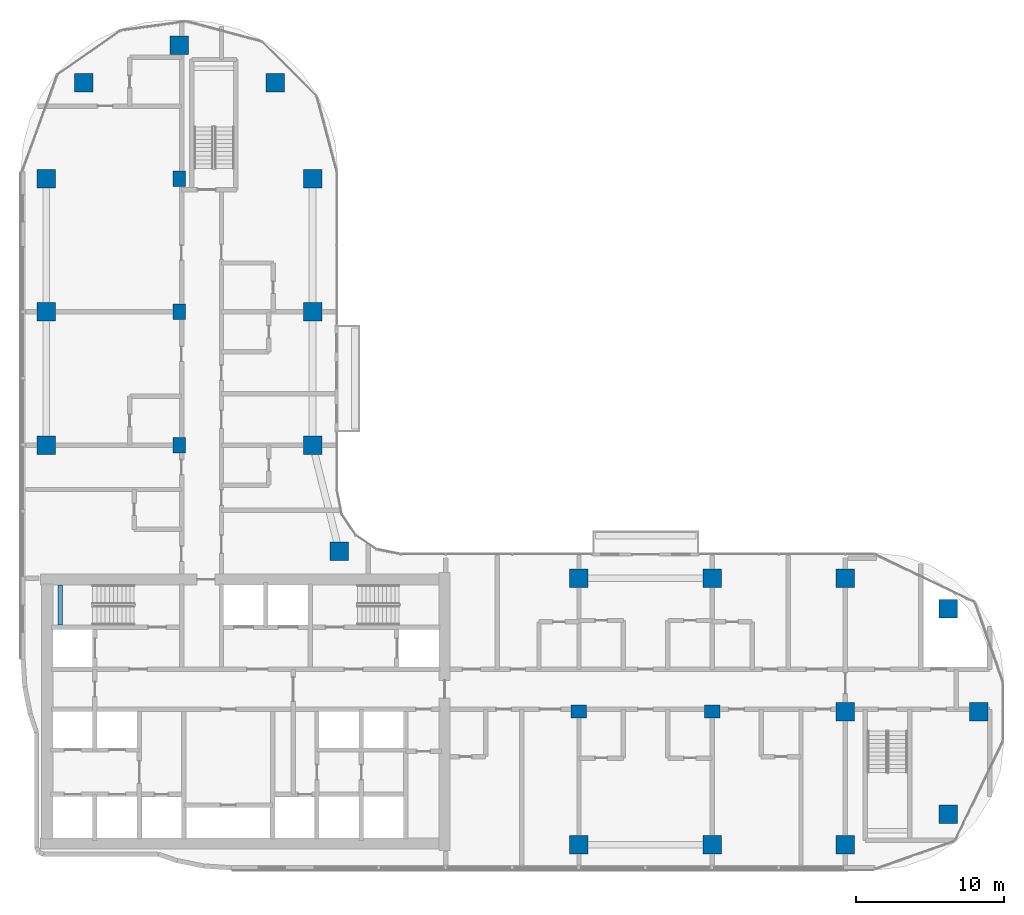
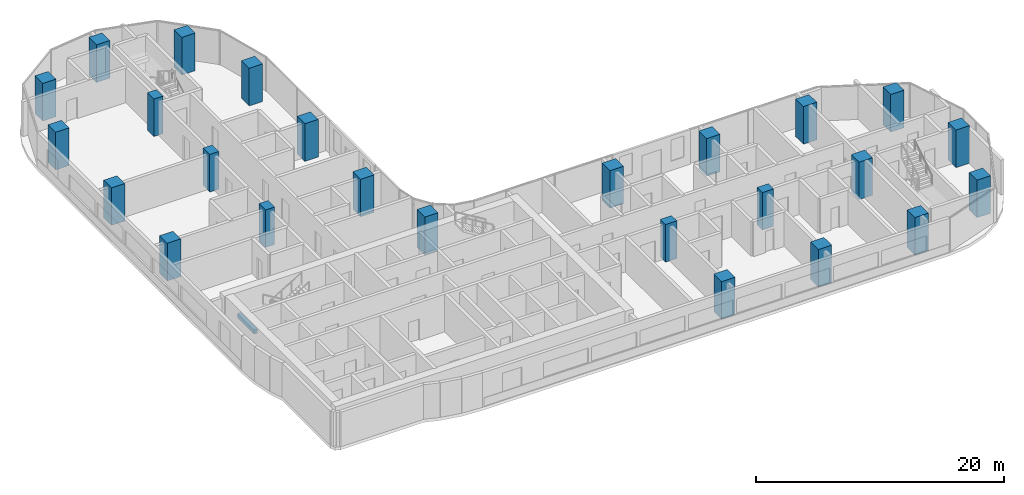
# One storey, part 1 of 23: 25 columns, 1 beam.
"""IFC4 building model written with IfcOpenShell, lengths in metres."""

from ifc_helpers import new_model, si_unit, direction, frame, origin, origin_2d, place, context, subcontext, project, spatial, rectangle, extrude, material, material_profile, profile_set, type_object, element, save


model = new_model("IFC4")

# Units and contexts
model_context = context("Model", 3, precision=1e-05, world=origin(), true_north=direction((0.0, 1.0)))
body_context = subcontext(model_context, "Body", "Model", "MODEL_VIEW")
ifc_project = project(units=[si_unit("LENGTHUNIT", "METRE"), si_unit("AREAUNIT", "SQUARE_METRE"), si_unit("VOLUMEUNIT", "CUBIC_METRE"), si_unit("PLANEANGLEUNIT", "RADIAN"), si_unit("MASSUNIT", "GRAM", prefix="KILO")], contexts=[model_context])

# Site, building, storey
site_placement = place(None, origin())
site = spatial("IfcSite", under=ifc_project, at=site_placement, CompositionType="ELEMENT")
building_placement = place(site_placement, origin())
building = spatial("IfcBuilding", under=site, at=building_placement, Name="Ogive Portal Towers", CompositionType="ELEMENT")
storey_placement = place(building_placement, frame((0.0, 0.0, 127.800048828125)))
storey = spatial("IfcBuildingStorey", under=building, at=storey_placement, Name="L31", CompositionType="ELEMENT", Elevation=127.800048828125)

# Columns
ifc_material_1 = material(Name="Concrete C60/75", Category="concrete")
ifc_material_profile_1 = material_profile(ifc_material_1, rectangle(XDim=1.050048828125, YDim=0.85009765625, at=origin_2d()), Name="RC 1050x850")
ifc_profile_set_1 = profile_set([ifc_material_profile_1], Name="Concrete C60/75")
column_type_1 = type_object("IfcColumnType", Name="COLUMN RC 1050x850", PredefinedType="COLUMN", material=ifc_profile_set_1)
for number, where, z_axis, x_axis, name in (
    (1, (67.5, 30.5, 0.0), (0.0, 0.0, 1.0), (1.0, 0.0, 0.0), "Column 5/B L31"),
    (2, (76.5, 30.5, 0.0), (0.0, 0.0, 1.0), (1.0, 0.0, 0.0), "Column 6/B L31"),
    (3, (40.5, 48.5, 0.0), (0.0, 0.0, 1.0), (0.0, 1.0, 0.0), "Column 2/D L31"),
    (4, (40.5, 57.5, 0.0), (0.0, 0.0, 1.0), (0.0, 1.0, 0.0), "Column 2/E L31"),
    (5, (40.5, 66.5, 0.0), (0.0, 0.0, 1.0), (0.0, 1.0, 0.0), "Column 2/F L31"),
):
    element("IfcColumn", number, at=place(storey_placement, frame(where, z_axis=z_axis, x_axis=x_axis)), inside=storey, type_object=column_type_1, Name=name, PredefinedType="COLUMN", context=body_context, shape_type="SweptSolid", body=[
        extrude(rectangle(XDim=1.050048828125, YDim=0.85009765625, at=origin_2d()), origin(), (0.0, 0.0, 1.0), 3.699951171875),
    ])
ifc_material_profile_2 = material_profile(ifc_material_1, rectangle(XDim=1.25, YDim=1.25, at=origin_2d()), Name="RC 1250x1250")
ifc_profile_set_2 = profile_set([ifc_material_profile_2], Name="Concrete C60/75")
column_type_2 = type_object("IfcColumnType", Name="COLUMN RC 1250x1250", PredefinedType="COLUMN", material=ifc_profile_set_2)
for number, where, z_axis, x_axis, name in (
    (6, (67.5, 21.5, 0.0), (0.0, 0.0, 1.0), (1.0, 0.0, 0.0), "Column 5/A L31"),
    (7, (76.5, 21.5, 0.0), (0.0, 0.0, 1.0), (1.0, 0.0, 0.0), "Column 6/A L31"),
    (8, (85.5, 21.5, 0.0), (0.0, 0.0, 1.0), (1.0, 0.0, 0.0), "Column 7/A L31"),
    (9, (92.449951171875, 23.550048828125, 0.0), (0.0, 0.0, 1.0), (1.0, 0.0, 0.0), "Column L31"),
    (10, (85.5, 30.5, 0.0), (0.0, 0.0, 1.0), (1.0, 0.0, 0.0), "Column 7/B L31"),
    (11, (94.5, 30.5, 0.0), (0.0, 0.0, 1.0), (1.0, 0.0, 0.0), "Column 8/B L31"),
    (12, (92.449951171875, 37.449951171875, 0.0), (0.0, 0.0, 1.0), (1.0, 0.0, 0.0), "Column L31"),
    (13, (67.5, 39.5, 0.0), (0.0, 0.0, 1.0), (1.0, 0.0, 0.0), "Column 5/C L31"),
    (14, (76.5, 39.5, 0.0), (0.0, 0.0, 1.0), (1.0, 0.0, 0.0), "Column 6/C L31"),
    (15, (85.5, 39.5, 0.0), (0.0, 0.0, 1.0), (1.0, 0.0, 0.0), "Column 7/C L31"),
    (16, (51.31005859375, 41.31005859375, 0.0), (0.0, 0.0, 1.0), (1.0, 0.0, 0.0), "Column L31"),
    (17, (31.5, 48.5, 0.0), (0.0, 0.0, 1.0), (1.0, 0.0, 0.0), "Column 1/D L31"),
    (18, (49.5, 48.5, 0.0), (0.0, 0.0, 1.0), (1.0, 0.0, 0.0), "Column 3/D L31"),
    (19, (31.5, 57.5, 0.0), (0.0, 0.0, 1.0), (1.0, 0.0, 0.0), "Column 1/E L31"),
    (20, (49.5, 57.5, 0.0), (0.0, 0.0, 1.0), (1.0, 0.0, 0.0), "Column 3/E L31"),
    (21, (31.5, 66.5, 0.0), (0.0, 0.0, 1.0), (1.0, 0.0, 0.0), "Column 1/F L31"),
    (22, (49.5, 66.5, 0.0), (0.0, 0.0, 1.0), (1.0, 0.0, 0.0), "Column 3/F L31"),
    (23, (34.027099609375, 72.972900390625, 0.0), (0.0, 0.0, 1.0), (1.0, 0.0, 0.0), "Column L31"),
    (24, (46.972900390625, 72.972900390625, 0.0), (0.0, 0.0, 1.0), (1.0, 0.0, 0.0), "Column L31"),
    (25, (40.5, 75.5, 0.0), (0.0, 0.0, 1.0), (1.0, 0.0, 0.0), "Column 2/G L31"),
):
    element("IfcColumn", number, at=place(storey_placement, frame(where, z_axis=z_axis, x_axis=x_axis)), inside=storey, type_object=column_type_2, Name=name, PredefinedType="COLUMN", context=body_context, shape_type="SweptSolid", body=[
        extrude(rectangle(XDim=1.25, YDim=1.25, at=origin_2d()), origin(), (0.0, 0.0, 1.0), 3.699951171875),
    ])

# Beam
ifc_material_2 = material(Name="Concrete C40/50", Category="concrete")
ifc_material_profile_3 = material_profile(ifc_material_2, rectangle(XDim=0.300048828125, YDim=0.39990234375, at=origin_2d()), Name="RC 300x400")
ifc_profile_set_3 = profile_set([ifc_material_profile_3], Name="Concrete C40/50")
beam_type = type_object("IfcBeamType", Name="BEAM RC 300x400", PredefinedType="BEAM", material=ifc_profile_set_3)
beam_placement = place(storey_placement, frame((32.449951171875, 36.35009765625, 1.449951171875), z_axis=(0.0, 1.0, 0.0), x_axis=(-1.0, 0.0, 0.0)))
element("IfcBeam", 26, at=beam_placement, inside=storey, type_object=beam_type, Name="Landing beam L31", PredefinedType="BEAM", context=body_context, shape_type="SweptSolid", body=[
    extrude(rectangle(XDim=0.300048828125, YDim=0.39990234375, at=origin_2d()), origin(), (0.0, 0.0, 1.0), 2.699951171875),
])

save(model, "model.ifc")
